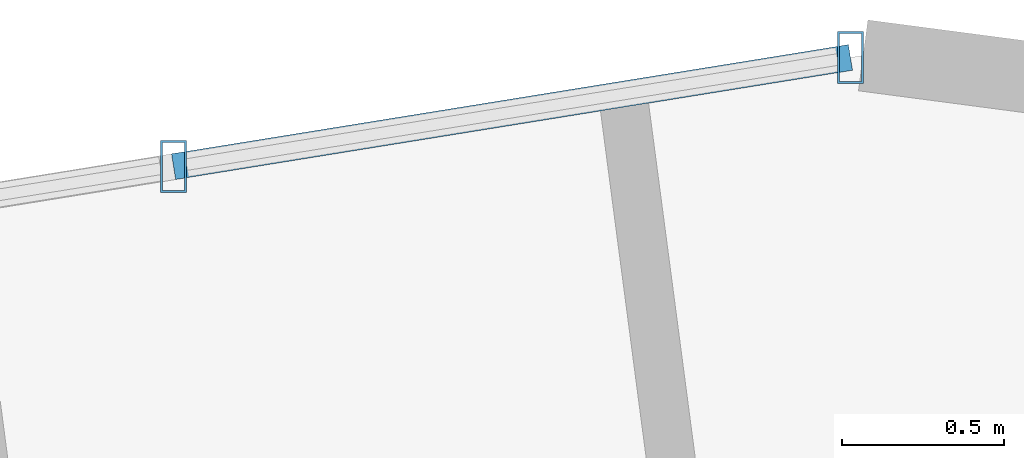
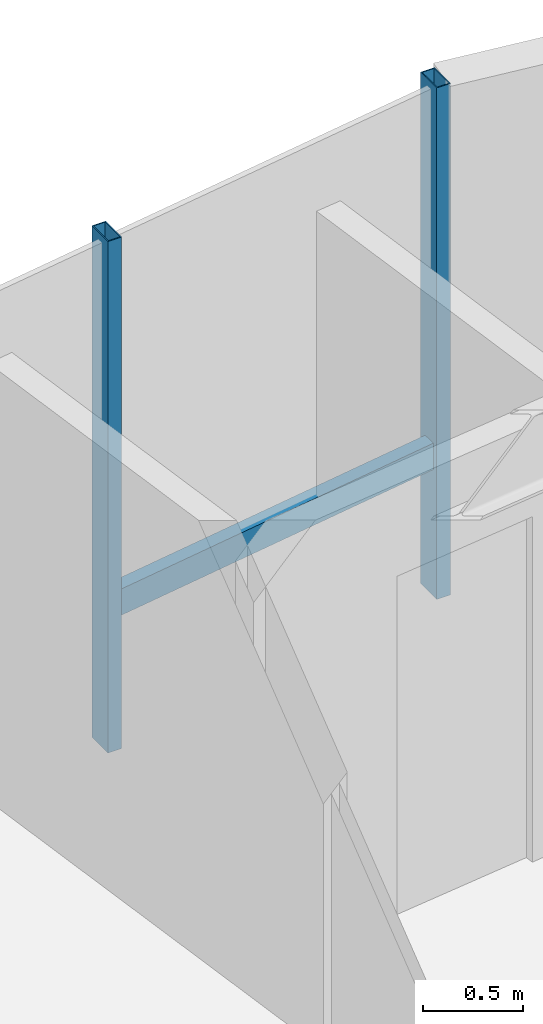
# One storey, part 15 of 22: 3 members, 1 element without a shape of its own.
"""IFC4 building model written with IfcOpenShell, lengths in metres."""

from ifc_helpers import new_model, si_unit, direction, frame, origin, origin_2d, place, context, subcontext, project, spatial, hollow_rectangle, extrude, source, transform, mapped, material, material_profile, profile_set, type_object, element, aggregate, save


model = new_model("IFC4")

# Units and contexts
model_context = context("Model", 3, precision=1e-05, world=origin(), true_north=direction((0.0, 1.0)))
body_context = subcontext(model_context, "Body", "Model", "MODEL_VIEW")
ifc_project = project(units=[si_unit("LENGTHUNIT", "METRE"), si_unit("AREAUNIT", "SQUARE_METRE"), si_unit("VOLUMEUNIT", "CUBIC_METRE"), si_unit("PLANEANGLEUNIT", "RADIAN"), si_unit("MASSUNIT", "GRAM", prefix="KILO")], contexts=[model_context])

# Site, building, storey
site_placement = place(None, origin())
site = spatial("IfcSite", under=ifc_project, at=site_placement, CompositionType="ELEMENT")
building_placement = place(site_placement, origin())
building = spatial("IfcBuilding", under=site, at=building_placement, Name="Sahyath Konkavel Grand Hotel", CompositionType="ELEMENT")
storey_placement = place(building_placement, frame((0.0, 0.0, 206.5)))
storey = spatial("IfcBuildingStorey", under=building, at=storey_placement, Name="L57", CompositionType="ELEMENT", Elevation=206.5)

# Curtain wall, members
ifc_material_1 = material(Name="Anodised Bronze Aluminium & Low-E Glazing", Category="aluminium")
curtain_wall_type = type_object("IfcCurtainWallType", Name="CW-ZONE4", PredefinedType="NOTDEFINED", material=ifc_material_1)
curtain_wall_placement = place(storey_placement, origin())
curtain_wall = element("IfcCurtainWall", 1, at=curtain_wall_placement, inside=storey, type_object=curtain_wall_type, Name="L57 Unitised Curtain Wall F12", PredefinedType="NOTDEFINED")
ifc_material_2 = material(Name="Anodised Bronze Aluminium", Category="aluminium")
ifc_material_profile_1 = material_profile(ifc_material_2, hollow_rectangle(XDim=0.080078125, YDim=0.159912109375, WallThickness=0.006103515625, at=origin_2d()), Name="RHS 160x80x6")
ifc_profile_set_1 = profile_set([ifc_material_profile_1], Name="Anodised Bronze Aluminium")
member_type_1 = type_object("IfcMemberType", Name="CW-MUL-160", PredefinedType="MULLION", material=ifc_profile_set_1)
shared_shape_1 = source(origin(), body_context, "Body", "SweptSolid", [
    extrude(hollow_rectangle(XDim=0.080078125, YDim=0.159912109375, WallThickness=0.006103515625, at=origin_2d()), origin(), (0.0, 0.0, 1.0), 3.110107421875),
])
member_1_placement = place(storey_placement, frame((1.117431640625, 20.318603515625, 0.0), z_axis=(0.0, 0.0, 1.0), x_axis=(1.0, 0.0, 0.0)))
member_1 = element("IfcMember", 2, at=member_1_placement, type_object=member_type_1, Name="L57 Curtain Wall Mullion F12-0", PredefinedType="MULLION", context=body_context, shape_type="MappedRepresentation", body=[
    mapped(shared_shape_1, transform((0.0, 0.0, 0.0), scale=1.0)),
])
member_2_placement = place(storey_placement, frame((-0.9677734375, 19.982177734375, 0.0), z_axis=(0.0, 0.0, 1.0), x_axis=(1.0, 0.0, 0.0)))
member_2 = element("IfcMember", 3, at=member_2_placement, type_object=member_type_1, Name="L57 Curtain Wall Mullion F12-1", PredefinedType="MULLION", context=body_context, shape_type="MappedRepresentation", body=[
    mapped(shared_shape_1, transform((0.0, 0.0, 0.0), scale=1.0)),
])
ifc_material_profile_2 = material_profile(ifc_material_2, hollow_rectangle(XDim=0.080078125, YDim=0.159912109375, WallThickness=0.006103515625, at=origin_2d()), Name="RHS 160x80x6")
ifc_profile_set_2 = profile_set([ifc_material_profile_2], Name="Anodised Bronze Aluminium")
member_type_2 = type_object("IfcMemberType", Name="CW-TRN-160", PredefinedType="USERDEFINED", material=ifc_profile_set_2)
shared_shape_2 = source(origin(), body_context, "Body", "SweptSolid", [
    extrude(hollow_rectangle(XDim=0.080078125, YDim=0.159912109375, WallThickness=0.006103515625, at=origin_2d()), origin(), (0.0, 0.0, 1.0), 2.112060546875),
])
member_3_placement = place(storey_placement, frame((1.117431640625, 20.318603515625, 0.85009765625), z_axis=(-0.987233499712, -0.159279681841, 0.0), x_axis=(0.159279681841, -0.987233499712, 0.0)))
member_3 = element("IfcMember", 4, at=member_3_placement, type_object=member_type_2, Name="L57 Curtain Wall Transom F12-0-spandrel", ObjectType="TRANSOM", PredefinedType="USERDEFINED", context=body_context, shape_type="MappedRepresentation", body=[
    mapped(shared_shape_2, transform((0.0, 0.0, 0.0), scale=1.0)),
])
aggregate(curtain_wall, [member_1, member_2, member_3])

save(model, "model.ifc")
